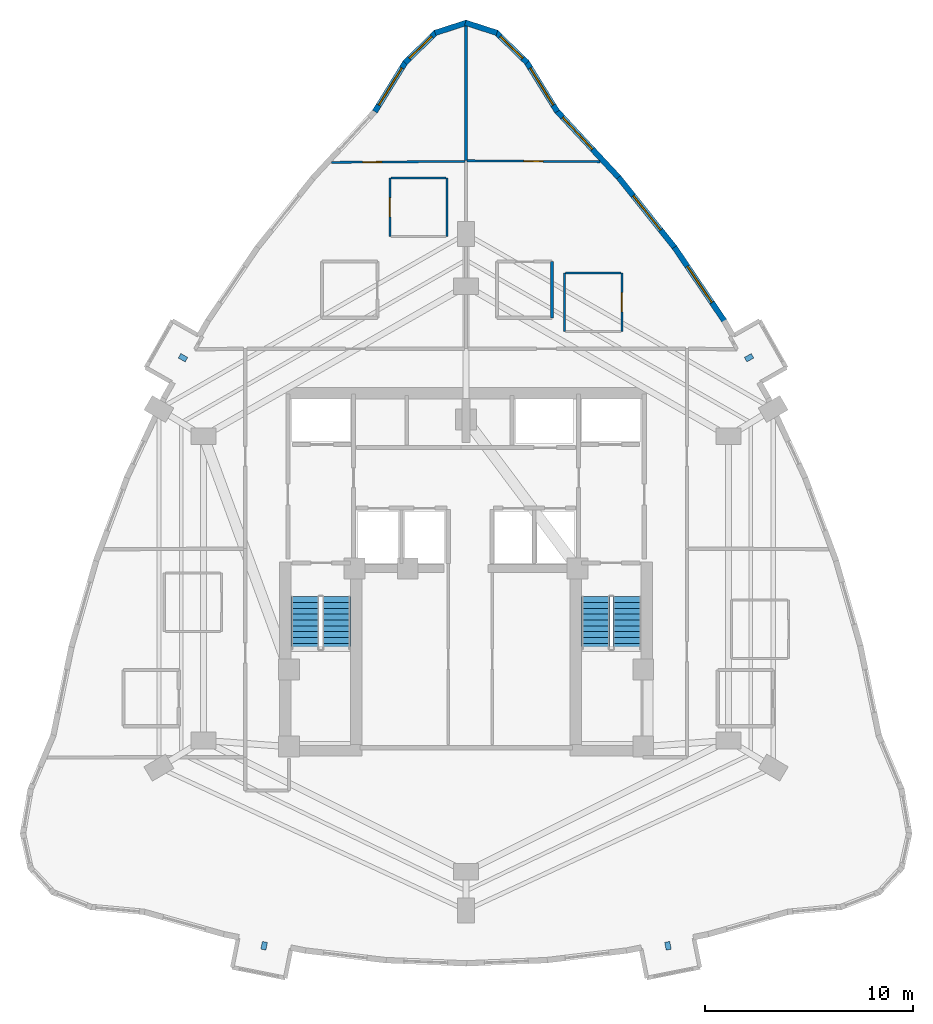
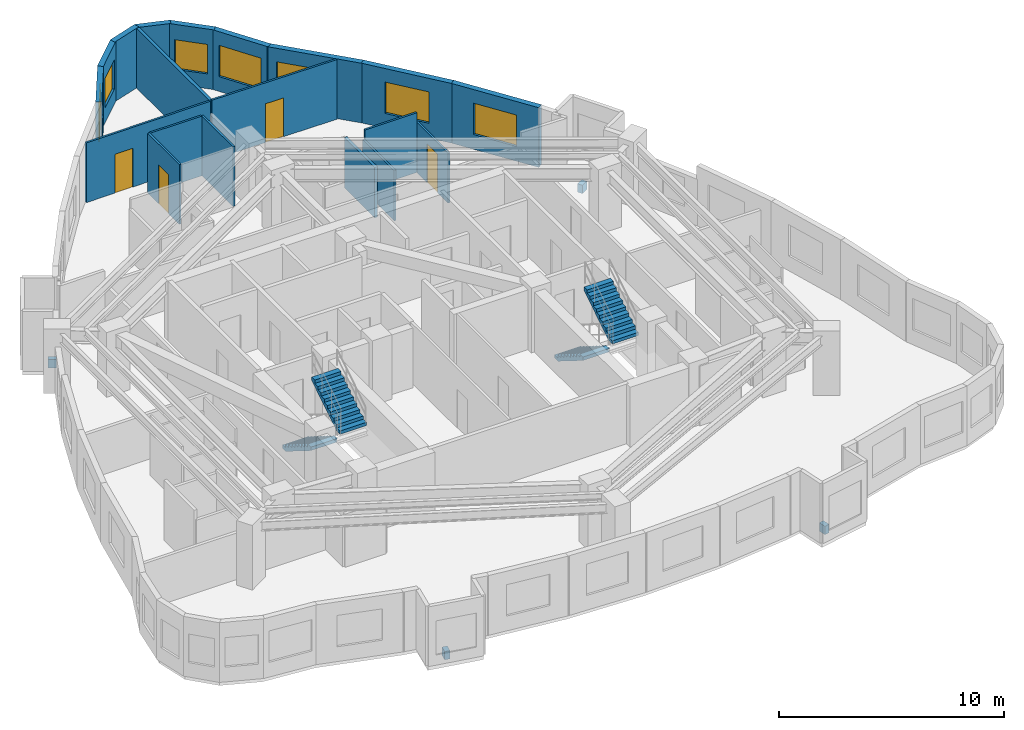
# One storey, part 9 of 10: 19 walls, 7 windows, 4 discrete accessories, 4 doors, 4 stair flights, 11 openings, 2 elements without a shape of their own.
"""IFC4 building model written with IfcOpenShell, lengths in metres."""

from ifc_helpers import new_model, si_unit, direction, frame, frame_2d, origin, origin_2d, place, context, subcontext, project, spatial, polyline, rectangle, outline, extrude, material, layer, layer_set, type_object, element, fill, aggregate, save


model = new_model("IFC4")

# Units and contexts
model_context = context("Model", 3, precision=1e-05, world=origin(), true_north=direction((0.0, 1.0)))
body_context = subcontext(model_context, "Body", "Model", "MODEL_VIEW")
ifc_project = project(units=[si_unit("LENGTHUNIT", "METRE"), si_unit("AREAUNIT", "SQUARE_METRE"), si_unit("VOLUMEUNIT", "CUBIC_METRE"), si_unit("PLANEANGLEUNIT", "RADIAN"), si_unit("MASSUNIT", "GRAM", prefix="KILO")], contexts=[model_context])

# Site, building, storey
site_placement = place(None, origin())
site = spatial("IfcSite", under=ifc_project, at=site_placement, CompositionType="ELEMENT")
building_placement = place(site_placement, origin())
building = spatial("IfcBuilding", under=site, at=building_placement, Name="Miruveldt Soraemaru", CompositionType="ELEMENT")
storey_placement = place(building_placement, frame((0.0, 0.0, 163.39990234375)))
storey = spatial("IfcBuildingStorey", under=building, at=storey_placement, Name="L45", CompositionType="ELEMENT", Elevation=163.39990234375)

# Wall, opening, window
ifc_material_1 = material(Name="Precast concrete C45/55 (45 MPa)", Category="concrete")
ifc_layer_1 = layer(ifc_material_1, 0.27001953125, Name="Precast concrete C45/55 (45 MPa)", Category="concrete")
ifc_layer_set_1 = layer_set([ifc_layer_1], Name="Precast concrete C45/55 (45 MPa)")
wall_type_1 = type_object("IfcWallType", Name="WALL-EXT-PC270", PredefinedType="SOLIDWALL", material=ifc_layer_set_1)
wall_1_placement = place(storey_placement, frame((48.37646484375, 65.975341796875, 0.0), z_axis=(0.0, 0.0, 1.0), x_axis=(-0.52606367771, 0.850445181651, 0.0)))
wall_1 = element("IfcWall", 1, at=wall_1_placement, inside=storey, type_object=wall_type_1, Name="L45 Precast Concrete Facade Wall 1", PredefinedType="SOLIDWALL", context=body_context, shape_type="SweptSolid", body=[
    extrude(rectangle(XDim=2.831298828125, YDim=0.27001953125, at=frame_2d((1.41552734375, 0.0))), origin(), (0.0, 0.0, 1.0), 3.235107421875),
])
opening_1_placement = place(wall_1_placement, frame((0.364990234375, 0.0, 0.800048828125)))
opening_1 = element("IfcOpeningElement", 2, at=opening_1_placement, cuts=wall_1, Name="Opening WN-1", PredefinedType="OPENING", context=body_context, shape_type="SweptSolid", body=[
    extrude(rectangle(XDim=2.10009765625, YDim=1.699951171875, at=frame_2d((1.050048828125, 0.85009765625))), frame((0.0, 0.14501953125, 0.0), z_axis=(0.0, -1.0, 0.0), x_axis=(1.0, 0.0, 0.0)), (0.0, 0.0, 1.0), 0.2900390625),
])
ifc_material_2 = material(Name="Triple low-e insulated glazing", Category="glass")
window_type_1 = type_object("IfcWindowType", Name="WIN-PUNCH-2100x1700", PartitioningType="SINGLE_PANEL", PredefinedType="WINDOW", material=ifc_material_2)
window_1_placement = place(opening_1_placement, origin())
window_1 = element("IfcWindow", 3, at=window_1_placement, inside=storey, type_object=window_type_1, Name="L45 Punched Triple-Glazed Window 01.1", OverallHeight=1.699951171875, OverallWidth=2.10009765625, PartitioningType="SINGLE_PANEL", PredefinedType="WINDOW", context=body_context, shape_type="SweptSolid", body=[
    extrude(rectangle(XDim=2.10009765625, YDim=1.699951171875, at=frame_2d((1.050048828125, 0.85009765625))), frame((0.0, 0.030029296875, 0.0), z_axis=(0.0, -1.0, 0.0), x_axis=(1.0, 0.0, 0.0)), (0.0, 0.0, 1.0), 0.06005859375),
])
fill(opening_1, window_1)

wall_2_placement = place(storey_placement, frame((46.930419921875, 68.3291015625, 0.0), z_axis=(0.0, 0.0, 1.0), x_axis=(-0.717810327484, 0.696238704582, 0.0)))
wall_2 = element("IfcWall", 4, at=wall_2_placement, inside=storey, type_object=wall_type_1, Name="L45 Precast Concrete Facade Wall 2", PredefinedType="SOLIDWALL", context=body_context, shape_type="SweptSolid", body=[
    extrude(rectangle(XDim=2.09375, YDim=0.27001953125, at=frame_2d((1.046875, 0.0))), origin(), (0.0, 0.0, 1.0), 3.235107421875),
])
opening_2_placement = place(wall_2_placement, frame((0.297119140625, 0.0, 0.800048828125)))
opening_2 = element("IfcOpeningElement", 5, at=opening_2_placement, cuts=wall_2, Name="Opening WN-3", PredefinedType="OPENING", context=body_context, shape_type="SweptSolid", body=[
    extrude(rectangle(XDim=1.5, YDim=1.60009765625, at=frame_2d((0.75, 0.800048828125))), frame((0.0, 0.14501953125, 0.0), z_axis=(0.0, -1.0, 0.0), x_axis=(1.0, 0.0, 0.0)), (0.0, 0.0, 1.0), 0.2900390625),
])
window_type_2 = type_object("IfcWindowType", Name="WIN-PUNCH-1500x1600", PartitioningType="SINGLE_PANEL", PredefinedType="WINDOW", material=ifc_material_2)
window_2_placement = place(opening_2_placement, origin())
window_2 = element("IfcWindow", 6, at=window_2_placement, inside=storey, type_object=window_type_2, Name="L45 Punched Triple-Glazed Window 02.1", OverallHeight=1.60009765625, OverallWidth=1.5, PartitioningType="SINGLE_PANEL", PredefinedType="WINDOW", context=body_context, shape_type="SweptSolid", body=[
    extrude(rectangle(XDim=1.5, YDim=1.60009765625, at=frame_2d((0.75, 0.800048828125))), frame((0.0, 0.030029296875, 0.0), z_axis=(0.0, -1.0, 0.0), x_axis=(1.0, 0.0, 0.0)), (0.0, 0.0, 1.0), 0.06005859375),
])
fill(opening_2, window_2)

# Walls
for number, where, z_axis, x_axis, name in (
    (7, (45.486083984375, 69.751708984375, 0.0), (0.0, 0.0, 1.0), (-0.951503769565, 0.307637085709, 0.0), "L45 Precast Concrete Facade Wall 3"),
    (8, (44.033203125, 70.242919921875, 0.0), (0.0, 0.0, 1.0), (-0.951503769565, -0.307637085709, 0.0), "L45 Precast Concrete Facade Wall 4"),
):
    element("IfcWall", number, at=place(storey_placement, frame(where, z_axis=z_axis, x_axis=x_axis)), inside=storey, type_object=wall_type_1, Name=name, PredefinedType="SOLIDWALL", context=body_context, shape_type="SweptSolid", body=[
        extrude(rectangle(XDim=1.5966796875, YDim=0.27001953125, at=frame_2d((0.79833984375, 0.0))), origin(), (0.0, 0.0, 1.0), 3.235107421875),
    ])

# Wall, opening, window
wall_3_placement = place(storey_placement, frame((42.572509765625, 69.786865234375, 0.0), z_axis=(0.0, 0.0, 1.0), x_axis=(-0.717810327484, -0.696238704582, 0.0)))
wall_3 = element("IfcWall", 9, at=wall_3_placement, inside=storey, type_object=wall_type_1, Name="L45 Precast Concrete Facade Wall 5", PredefinedType="SOLIDWALL", context=body_context, shape_type="SweptSolid", body=[
    extrude(rectangle(XDim=2.09375, YDim=0.27001953125, at=frame_2d((1.046875, 0.0))), origin(), (0.0, 0.0, 1.0), 3.235107421875),
])
opening_3_placement = place(wall_3_placement, frame((0.297119140625, 0.0, 0.800048828125)))
opening_3 = element("IfcOpeningElement", 10, at=opening_3_placement, cuts=wall_3, Name="Opening WN-3", PredefinedType="OPENING", context=body_context, shape_type="SweptSolid", body=[
    extrude(rectangle(XDim=1.5, YDim=1.60009765625, at=frame_2d((0.75, 0.800048828125))), frame((0.0, 0.14501953125, 0.0), z_axis=(0.0, -1.0, 0.0), x_axis=(1.0, 0.0, 0.0)), (0.0, 0.0, 1.0), 0.2900390625),
])
window_3_placement = place(opening_3_placement, origin())
window_3 = element("IfcWindow", 11, at=window_3_placement, inside=storey, type_object=window_type_2, Name="L45 Punched Triple-Glazed Window 05.1", OverallHeight=1.60009765625, OverallWidth=1.5, PartitioningType="SINGLE_PANEL", PredefinedType="WINDOW", context=body_context, shape_type="SweptSolid", body=[
    extrude(rectangle(XDim=1.5, YDim=1.60009765625, at=frame_2d((0.75, 0.800048828125))), frame((0.0, 0.030029296875, 0.0), z_axis=(0.0, -1.0, 0.0), x_axis=(1.0, 0.0, 0.0)), (0.0, 0.0, 1.0), 0.06005859375),
])
fill(opening_3, window_3)

wall_4_placement = place(storey_placement, frame((41.113037109375, 68.38330078125, 0.0), z_axis=(0.0, 0.0, 1.0), x_axis=(-0.52606367771, -0.850445181651, 0.0)))
wall_4 = element("IfcWall", 12, at=wall_4_placement, inside=storey, type_object=wall_type_1, Name="L45 Precast Concrete Facade Wall 6", PredefinedType="SOLIDWALL", context=body_context, shape_type="SweptSolid", body=[
    extrude(rectangle(XDim=2.831298828125, YDim=0.27001953125, at=frame_2d((1.41552734375, 0.0))), origin(), (0.0, 0.0, 1.0), 3.235107421875),
])
opening_4_placement = place(wall_4_placement, frame((0.364990234375, 0.0, 0.800048828125)))
opening_4 = element("IfcOpeningElement", 13, at=opening_4_placement, cuts=wall_4, Name="Opening WN-1", PredefinedType="OPENING", context=body_context, shape_type="SweptSolid", body=[
    extrude(rectangle(XDim=2.10009765625, YDim=1.699951171875, at=frame_2d((1.050048828125, 0.85009765625))), frame((0.0, 0.14501953125, 0.0), z_axis=(0.0, -1.0, 0.0), x_axis=(1.0, 0.0, 0.0)), (0.0, 0.0, 1.0), 0.2900390625),
])
window_4_placement = place(opening_4_placement, origin())
window_4 = element("IfcWindow", 14, at=window_4_placement, inside=storey, type_object=window_type_1, Name="L45 Punched Triple-Glazed Window 06.1", OverallHeight=1.699951171875, OverallWidth=2.10009765625, PartitioningType="SINGLE_PANEL", PredefinedType="WINDOW", context=body_context, shape_type="SweptSolid", body=[
    extrude(rectangle(XDim=2.10009765625, YDim=1.699951171875, at=frame_2d((1.050048828125, 0.85009765625))), frame((0.0, 0.030029296875, 0.0), z_axis=(0.0, -1.0, 0.0), x_axis=(1.0, 0.0, 0.0)), (0.0, 0.0, 1.0), 0.06005859375),
])
fill(opening_4, window_4)

wall_5_placement = place(storey_placement, frame((56.421630859375, 55.892578125, 0.0), z_axis=(0.0, 0.0, 1.0), x_axis=(-0.560806873165, 0.827946647442, 0.0)))
wall_5 = element("IfcWall", 15, at=wall_5_placement, inside=storey, type_object=wall_type_1, Name="L45 Precast Concrete Facade Wall 40", PredefinedType="SOLIDWALL", context=body_context, shape_type="SweptSolid", body=[
    extrude(rectangle(XDim=4.31640625, YDim=0.27001953125, at=frame_2d((2.158203125, 0.0))), origin(), (0.0, 0.0, 1.0), 3.235107421875),
])
opening_5_placement = place(wall_5_placement, frame((1.10791015625, 0.0, 0.800048828125)))
opening_5 = element("IfcOpeningElement", 16, at=opening_5_placement, cuts=wall_5, Name="Opening WN-1", PredefinedType="OPENING", context=body_context, shape_type="SweptSolid", body=[
    extrude(rectangle(XDim=2.10009765625, YDim=1.699951171875, at=frame_2d((1.050048828125, 0.85009765625))), frame((0.0, 0.14501953125, 0.0), z_axis=(0.0, -1.0, 0.0), x_axis=(1.0, 0.0, 0.0)), (0.0, 0.0, 1.0), 0.2900390625),
])
window_5_placement = place(opening_5_placement, origin())
window_5 = element("IfcWindow", 17, at=window_5_placement, inside=storey, type_object=window_type_1, Name="L45 Punched Triple-Glazed Window 40.1", OverallHeight=1.699951171875, OverallWidth=2.10009765625, PartitioningType="SINGLE_PANEL", PredefinedType="WINDOW", context=body_context, shape_type="SweptSolid", body=[
    extrude(rectangle(XDim=2.10009765625, YDim=1.699951171875, at=frame_2d((1.050048828125, 0.85009765625))), frame((0.0, 0.030029296875, 0.0), z_axis=(0.0, -1.0, 0.0), x_axis=(1.0, 0.0, 0.0)), (0.0, 0.0, 1.0), 0.06005859375),
])
fill(opening_5, window_5)

wall_6_placement = place(storey_placement, frame((54.042236328125, 59.409912109375, 0.0), z_axis=(0.0, 0.0, 1.0), x_axis=(-0.623611033504, 0.781734788079, 0.0)))
wall_6 = element("IfcWall", 18, at=wall_6_placement, inside=storey, type_object=wall_type_1, Name="L45 Precast Concrete Facade Wall 41", PredefinedType="SOLIDWALL", context=body_context, shape_type="SweptSolid", body=[
    extrude(rectangle(XDim=4.369384765625, YDim=0.27001953125, at=frame_2d((2.1845703125, 0.0))), origin(), (0.0, 0.0, 1.0), 3.235107421875),
])
opening_6_placement = place(wall_6_placement, frame((1.135009765625, 0.0, 0.800048828125)))
opening_6 = element("IfcOpeningElement", 19, at=opening_6_placement, cuts=wall_6, Name="Opening WN-1", PredefinedType="OPENING", context=body_context, shape_type="SweptSolid", body=[
    extrude(rectangle(XDim=2.10009765625, YDim=1.699951171875, at=frame_2d((1.050048828125, 0.85009765625))), frame((0.0, 0.14501953125, 0.0), z_axis=(0.0, -1.0, 0.0), x_axis=(1.0, 0.0, 0.0)), (0.0, 0.0, 1.0), 0.2900390625),
])
window_6_placement = place(opening_6_placement, origin())
window_6 = element("IfcWindow", 20, at=window_6_placement, inside=storey, type_object=window_type_1, Name="L45 Punched Triple-Glazed Window 41.1", OverallHeight=1.699951171875, OverallWidth=2.10009765625, PartitioningType="SINGLE_PANEL", PredefinedType="WINDOW", context=body_context, shape_type="SweptSolid", body=[
    extrude(rectangle(XDim=2.10009765625, YDim=1.699951171875, at=frame_2d((1.050048828125, 0.85009765625))), frame((0.0, 0.030029296875, 0.0), z_axis=(0.0, -1.0, 0.0), x_axis=(1.0, 0.0, 0.0)), (0.0, 0.0, 1.0), 0.06005859375),
])
fill(opening_6, window_6)

wall_7_placement = place(storey_placement, frame((51.36279296875, 62.772705078125, 0.0), z_axis=(0.0, 0.0, 1.0), x_axis=(-0.680840456656, 0.732431752848, 0.0)))
wall_7 = element("IfcWall", 21, at=wall_7_placement, inside=storey, type_object=wall_type_1, Name="L45 Precast Concrete Facade Wall 42", PredefinedType="SOLIDWALL", context=body_context, shape_type="SweptSolid", body=[
    extrude(rectangle(XDim=4.4482421875, YDim=0.27001953125, at=frame_2d((2.22412109375, 0.0))), origin(), (0.0, 0.0, 1.0), 3.235107421875),
])
opening_7_placement = place(wall_7_placement, frame((1.907958984375, 0.0, 0.800048828125)))
opening_7 = element("IfcOpeningElement", 22, at=opening_7_placement, cuts=wall_7, Name="Opening WN-1", PredefinedType="OPENING", context=body_context, shape_type="SweptSolid", body=[
    extrude(rectangle(XDim=2.10009765625, YDim=1.699951171875, at=frame_2d((1.050048828125, 0.85009765625))), frame((0.0, 0.14501953125, 0.0), z_axis=(0.0, -1.0, 0.0), x_axis=(1.0, 0.0, 0.0)), (0.0, 0.0, 1.0), 0.2900390625),
])
window_7_placement = place(opening_7_placement, origin())
window_7 = element("IfcWindow", 23, at=window_7_placement, inside=storey, type_object=window_type_1, Name="L45 Punched Triple-Glazed Window 42.1", OverallHeight=1.699951171875, OverallWidth=2.10009765625, PartitioningType="SINGLE_PANEL", PredefinedType="WINDOW", context=body_context, shape_type="SweptSolid", body=[
    extrude(rectangle(XDim=2.10009765625, YDim=1.699951171875, at=frame_2d((1.050048828125, 0.85009765625))), frame((0.0, 0.030029296875, 0.0), z_axis=(0.0, -1.0, 0.0), x_axis=(1.0, 0.0, 0.0)), (0.0, 0.0, 1.0), 0.06005859375),
])
fill(opening_7, window_7)

# Wall, opening, door
ifc_material_3 = material(Name="Gypsum plasterboard lining", Category="gypsum")
ifc_layer_2 = layer(ifc_material_3, 0.10009765625, Name="Gypsum plasterboard lining", Category="gypsum")
ifc_layer_set_2 = layer_set([ifc_layer_2], Name="Gypsum plasterboard lining")
wall_type_2 = type_object("IfcWallType", Name="WALL-INT-P100", PredefinedType="PARTITIONING", material=ifc_layer_set_2)
wall_8_placement = place(storey_placement, frame((43.949951171875, 63.587890625, 0.0), z_axis=(0.0, 0.0, 1.0), x_axis=(-0.999972006303, -0.007482420143, 0.0)))
wall_8 = element("IfcWall", 24, at=wall_8_placement, inside=storey, type_object=wall_type_2, Name="L45 Partition Wall 19", PredefinedType="PARTITIONING", context=body_context, shape_type="SweptSolid", body=[
    extrude(rectangle(XDim=6.395263671875, YDim=0.10009765625, at=frame_2d((3.19775390625, 0.0))), origin(), (0.0, 0.0, 1.0), 3.235107421875),
])
opening_8_placement = place(wall_8_placement, frame((3.998046875, 0.0, 0.0)))
opening_8 = element("IfcOpeningElement", 25, at=opening_8_placement, cuts=wall_8, Name="Opening D3A", PredefinedType="OPENING", context=body_context, shape_type="SweptSolid", body=[
    extrude(rectangle(XDim=0.919921875, YDim=2.10009765625, at=frame_2d((0.4599609375, 1.050048828125))), frame((0.0, 0.06005859375, 0.0), z_axis=(0.0, -1.0, 0.0), x_axis=(1.0, 0.0, 0.0)), (0.0, 0.0, 1.0), 0.1201171875),
])
ifc_material_4 = material(Name="Anodised aluminium EN AW-6063 T6", Category="aluminium")
door_type = type_object("IfcDoorType", Name="DOOR-INT-920", OperationType="NOTDEFINED", PredefinedType="DOOR", material=ifc_material_4)
door_1_placement = place(opening_8_placement, origin())
door_1 = element("IfcDoor", 26, at=door_1_placement, inside=storey, type_object=door_type, Name="L45 Unit 4501 DIN Door", OperationType="SINGLE_SWING_LEFT", OverallHeight=2.10009765625, OverallWidth=0.919921875, PredefinedType="DOOR", context=body_context, shape_type="SweptSolid", body=[
    extrude(rectangle(XDim=0.919921875, YDim=2.10009765625, at=frame_2d((0.4599609375, 1.050048828125))), frame((0.0, 0.02490234375, 0.0), z_axis=(0.0, -1.0, 0.0), x_axis=(1.0, 0.0, 0.0)), (0.0, 0.0, 1.0), 0.050048828125),
])
fill(opening_8, door_1)

wall_9_placement = place(storey_placement, frame((50.4169921875, 63.570068359375, 0.0), z_axis=(0.0, 0.0, 1.0), x_axis=(-0.999971758882, 0.007515413349, 0.0)))
wall_9 = element("IfcWall", 27, at=wall_9_placement, inside=storey, type_object=wall_type_2, Name="L45 Partition Wall 31", PredefinedType="PARTITIONING", context=body_context, shape_type="SweptSolid", body=[
    extrude(rectangle(XDim=6.3671875, YDim=0.10009765625, at=frame_2d((3.18359375, 0.0))), origin(), (0.0, 0.0, 1.0), 3.235107421875),
])
opening_9_placement = place(wall_9_placement, frame((2.72412109375, 0.0, 0.0)))
opening_9 = element("IfcOpeningElement", 28, at=opening_9_placement, cuts=wall_9, Name="Opening D3A", PredefinedType="OPENING", context=body_context, shape_type="SweptSolid", body=[
    extrude(rectangle(XDim=0.919921875, YDim=2.10009765625, at=frame_2d((0.4599609375, 1.050048828125))), frame((0.0, 0.06005859375, 0.0), z_axis=(0.0, -1.0, 0.0), x_axis=(1.0, 0.0, 0.0)), (0.0, 0.0, 1.0), 0.1201171875),
])
door_2_placement = place(opening_9_placement, origin())
door_2 = element("IfcDoor", 29, at=door_2_placement, inside=storey, type_object=door_type, Name="L45 Unit 4502 DIN Door", OperationType="SINGLE_SWING_LEFT", OverallHeight=2.10009765625, OverallWidth=0.919921875, PredefinedType="DOOR", context=body_context, shape_type="SweptSolid", body=[
    extrude(rectangle(XDim=0.919921875, YDim=2.10009765625, at=frame_2d((0.4599609375, 1.050048828125))), frame((0.0, 0.02490234375, 0.0), z_axis=(0.0, -1.0, 0.0), x_axis=(1.0, 0.0, 0.0)), (0.0, 0.0, 1.0), 0.050048828125),
])
fill(opening_9, door_2)

wall_10_placement = place(storey_placement, frame((40.342041015625, 62.780029296875, 0.0), z_axis=(0.0, 0.0, 1.0), x_axis=(0.0, -1.0, 0.0)))
wall_10 = element("IfcWall", 30, at=wall_10_placement, inside=storey, type_object=wall_type_2, Name="L45 Partition Wall 17", PredefinedType="PARTITIONING", context=body_context, shape_type="SweptSolid", body=[
    extrude(rectangle(XDim=2.800048828125, YDim=0.10009765625, at=frame_2d((1.39990234375, 0.0))), origin(), (0.0, 0.0, 1.0), 3.235107421875),
])
opening_10_placement = place(wall_10_placement, frame((0.93994140625, 0.0, 0.0)))
opening_10 = element("IfcOpeningElement", 31, at=opening_10_placement, cuts=wall_10, Name="Opening D3A", PredefinedType="OPENING", context=body_context, shape_type="SweptSolid", body=[
    extrude(rectangle(XDim=0.919921875, YDim=2.10009765625, at=frame_2d((0.4599609375, 1.050048828125))), frame((0.0, 0.06005859375, 0.0), z_axis=(0.0, -1.0, 0.0), x_axis=(1.0, 0.0, 0.0)), (0.0, 0.0, 1.0), 0.1201171875),
])
door_3_placement = place(opening_10_placement, origin())
door_3 = element("IfcDoor", 32, at=door_3_placement, inside=storey, type_object=door_type, Name="L45 Unit 4501 KIT Door", OperationType="SINGLE_SWING_RIGHT", OverallHeight=2.10009765625, OverallWidth=0.919921875, PredefinedType="DOOR", context=body_context, shape_type="SweptSolid", body=[
    extrude(rectangle(XDim=0.919921875, YDim=2.10009765625, at=frame_2d((0.4599609375, 1.050048828125))), frame((0.0, 0.02490234375, 0.0), z_axis=(0.0, -1.0, 0.0), x_axis=(1.0, 0.0, 0.0)), (0.0, 0.0, 1.0), 0.050048828125),
])
fill(opening_10, door_3)

wall_11_placement = place(storey_placement, frame((51.47998046875, 55.429931640625, 0.0), z_axis=(0.0, 0.0, 1.0), x_axis=(0.0, 1.0, 0.0)))
wall_11 = element("IfcWall", 33, at=wall_11_placement, inside=storey, type_object=wall_type_2, Name="L45 Partition Wall 27", PredefinedType="PARTITIONING", context=body_context, shape_type="SweptSolid", body=[
    extrude(rectangle(XDim=2.800048828125, YDim=0.10009765625, at=frame_2d((1.39990234375, 0.0))), origin(), (0.0, 0.0, 1.0), 2.72314453125),
])
opening_11_placement = place(wall_11_placement, frame((0.93994140625, 0.0, 0.0)))
opening_11 = element("IfcOpeningElement", 34, at=opening_11_placement, cuts=wall_11, Name="Opening D3A", PredefinedType="OPENING", context=body_context, shape_type="SweptSolid", body=[
    extrude(rectangle(XDim=0.919921875, YDim=2.10009765625, at=frame_2d((0.4599609375, 1.050048828125))), frame((0.0, 0.06005859375, 0.0), z_axis=(0.0, -1.0, 0.0), x_axis=(1.0, 0.0, 0.0)), (0.0, 0.0, 1.0), 0.1201171875),
])
door_4_placement = place(opening_11_placement, origin())
door_4 = element("IfcDoor", 35, at=door_4_placement, inside=storey, type_object=door_type, Name="L45 Unit 4502 KIT Door", OperationType="SINGLE_SWING_RIGHT", OverallHeight=2.10009765625, OverallWidth=0.919921875, PredefinedType="DOOR", context=body_context, shape_type="SweptSolid", body=[
    extrude(rectangle(XDim=0.919921875, YDim=2.10009765625, at=frame_2d((0.4599609375, 1.050048828125))), frame((0.0, 0.02490234375, 0.0), z_axis=(0.0, -1.0, 0.0), x_axis=(1.0, 0.0, 0.0)), (0.0, 0.0, 1.0), 0.050048828125),
])
fill(opening_11, door_4)

# Walls
wall_12_placement = place(storey_placement, frame((43.092041015625, 59.97998046875, 0.0), z_axis=(0.0, 0.0, 1.0), x_axis=(0.0, 1.0, 0.0)))
element("IfcWall", 36, at=wall_12_placement, inside=storey, type_object=wall_type_2, Name="L45 Partition Wall 15", PredefinedType="PARTITIONING", context=body_context, shape_type="SweptSolid", body=[
    extrude(rectangle(XDim=2.800048828125, YDim=0.10009765625, at=frame_2d((1.39990234375, 0.0))), origin(), (0.0, 0.0, 1.0), 3.235107421875),
])
wall_13_placement = place(storey_placement, frame((48.72998046875, 58.22998046875, 0.0), z_axis=(0.0, 0.0, 1.0), x_axis=(0.0, -1.0, 0.0)))
element("IfcWall", 37, at=wall_13_placement, inside=storey, type_object=wall_type_2, Name="L45 Partition Wall 29", PredefinedType="PARTITIONING", context=body_context, shape_type="SweptSolid", body=[
    extrude(rectangle(XDim=2.800048828125, YDim=0.10009765625, at=frame_2d((1.39990234375, 0.0))), origin(), (0.0, 0.0, 1.0), 2.72314453125),
])
for number, where, z_axis, x_axis, name in (
    (38, (43.0419921875, 62.780029296875, 0.0), (0.0, 0.0, 1.0), (-1.0, 0.0, 0.0), "L45 Partition Wall 16"),
    (39, (51.429931640625, 58.22998046875, 0.0), (0.0, 0.0, 1.0), (-1.0, 0.0, 0.0), "L45 Partition Wall 28"),
):
    element("IfcWall", number, at=place(storey_placement, frame(where, z_axis=z_axis, x_axis=x_axis)), inside=storey, type_object=wall_type_2, Name=name, PredefinedType="PARTITIONING", context=body_context, shape_type="SweptSolid", body=[
        extrude(rectangle(XDim=2.64990234375, YDim=0.10009765625, at=frame_2d((1.324951171875, 0.0))), origin(), (0.0, 0.0, 1.0), 3.235107421875),
    ])
ifc_layer_3 = layer(ifc_material_3, 0.14990234375, Name="Gypsum plasterboard lining", Category="gypsum")
ifc_layer_set_3 = layer_set([ifc_layer_3], Name="Gypsum plasterboard lining")
wall_type_3 = type_object("IfcWallType", Name="WALL-INT-PLUMB", PredefinedType="PLUMBINGWALL", material=ifc_layer_set_3)
wall_14_placement = place(storey_placement, frame((48.1298828125, 56.080078125, 0.0), z_axis=(0.0, 0.0, 1.0), x_axis=(0.0, 1.0, 0.0)))
element("IfcWall", 40, at=wall_14_placement, inside=storey, type_object=wall_type_3, Name="L45 Partition Wall 23", PredefinedType="PLUMBINGWALL", context=body_context, shape_type="SweptSolid", body=[
    extrude(rectangle(XDim=2.699951171875, YDim=0.14990234375, at=frame_2d((1.35009765625, 0.0))), origin(), (0.0, 0.0, 1.0), 2.72314453125),
])
ifc_material_5 = material(Name="Concrete C40/50 (40 MPa)", Category="concrete")
ifc_layer_4 = layer(ifc_material_5, 0.159912109375, Name="Concrete C40/50 (40 MPa)", Category="concrete")
ifc_layer_set_4 = layer_set([ifc_layer_4], Name="Concrete C40/50 (40 MPa)")
wall_type_4 = type_object("IfcWallType", Name="WALL-INT-RC160", PredefinedType="SOLIDWALL", material=ifc_layer_set_4)
wall_15_placement = place(storey_placement, frame((44.0, 63.617919921875, 0.0), z_axis=(0.0, 0.0, 1.0), x_axis=(0.0, 1.0, 0.0)))
element("IfcWall", 41, at=wall_15_placement, inside=storey, type_object=wall_type_4, Name="L45 Partition Wall 22", PredefinedType="SOLIDWALL", context=body_context, shape_type="SweptSolid", body=[
    extrude(rectangle(XDim=6.4560546875, YDim=0.159912109375, at=frame_2d((3.22802734375, 0.0))), origin(), (0.0, 0.0, 1.0), 3.235107421875),
])

# Stair, stair flights
stair_type = type_object("IfcStairType", Name="STAIR-DL-350", PredefinedType="HALF_TURN_STAIR", material=ifc_material_5)
stair_1_placement = place(storey_placement, origin())
stair_1 = element("IfcStair", 42, at=stair_1_placement, inside=storey, type_object=stair_type, Name="L45 Protected Exit Stair ST-1", PredefinedType="HALF_TURN_STAIR")
stair_flight_type = type_object("IfcStairFlightType", Name="SFL-DL-350", PredefinedType="STRAIGHT", material=ifc_material_5)
stair_flight_1_placement = place(storey_placement, frame((36.27490234375, 42.699951171875, 0.0), z_axis=(0.0, 0.0, 1.0), x_axis=(0.0, -1.0, 0.0)))
stair_flight_1 = element("IfcStairFlight", 43, at=stair_flight_1_placement, type_object=stair_flight_type, Name="ST-1 flight 1", NumberOfRisers=10, NumberOfTreads=9, PredefinedType="STRAIGHT", RiserHeight=0.175, TreadLength=0.28, context=body_context, shape_type="SweptSolid", body=[
    extrude(outline(polyline([(0.0, 0.0), (0.0, 0.175048828125), (0.280029296875, 0.175048828125), (0.280029296875, 0.35009765625), (0.56005859375, 0.35009765625), (0.56005859375, 0.52490234375), (0.840087890625, 0.52490234375), (0.840087890625, 0.699951171875), (1.1201171875, 0.699951171875), (1.1201171875, 0.875), (1.39990234375, 0.875), (1.39990234375, 1.050048828125), (1.679931640625, 1.050048828125), (1.679931640625, 1.22509765625), (1.9599609375, 1.22509765625), (1.9599609375, 1.39990234375), (2.239990234375, 1.39990234375), (2.239990234375, 1.574951171875), (2.52001953125, 1.574951171875), (2.52001953125, 1.75), (2.52001953125, 1.386474609375), (0.3017578125, 0.0), (0.0, 0.0)])), frame((0.0, 0.675048828125, 0.0), z_axis=(0.0, -1.0, 0.0), x_axis=(1.0, 0.0, 0.0)), (0.0, 0.0, 1.0), 1.35009765625),
])
stair_flight_2_placement = place(storey_placement, frame((37.77490234375, 40.179931640625, 1.75), z_axis=(0.0, 0.0, 1.0), x_axis=(0.0, 1.0, 0.0)))
stair_flight_2 = element("IfcStairFlight", 44, at=stair_flight_2_placement, type_object=stair_flight_type, Name="ST-1 flight 2", NumberOfRisers=10, NumberOfTreads=9, PredefinedType="STRAIGHT", RiserHeight=0.175, TreadLength=0.28, context=body_context, shape_type="SweptSolid", body=[
    extrude(outline(polyline([(0.0, 0.0), (0.0, 0.175048828125), (0.280029296875, 0.175048828125), (0.280029296875, 0.35009765625), (0.56005859375, 0.35009765625), (0.56005859375, 0.52490234375), (0.840087890625, 0.52490234375), (0.840087890625, 0.699951171875), (1.1201171875, 0.699951171875), (1.1201171875, 0.875), (1.39990234375, 0.875), (1.39990234375, 1.050048828125), (1.679931640625, 1.050048828125), (1.679931640625, 1.22509765625), (1.9599609375, 1.22509765625), (1.9599609375, 1.39990234375), (2.239990234375, 1.39990234375), (2.239990234375, 1.574951171875), (2.52001953125, 1.574951171875), (2.52001953125, 1.75), (2.52001953125, 1.386474609375), (0.3017578125, 0.0), (0.0, 0.0)])), frame((0.0, 0.675048828125, 0.0), z_axis=(0.0, -1.0, 0.0), x_axis=(1.0, 0.0, 0.0)), (0.0, 0.0, 1.0), 1.35009765625),
])
aggregate(stair_1, [stair_flight_1, stair_flight_2])

stair_2_placement = place(storey_placement, origin())
stair_2 = element("IfcStair", 45, at=stair_2_placement, inside=storey, type_object=stair_type, Name="L45 Protected Exit Stair ST-2", PredefinedType="HALF_TURN_STAIR")
stair_flight_3_placement = place(storey_placement, frame((50.22509765625, 42.699951171875, 0.0), z_axis=(0.0, 0.0, 1.0), x_axis=(0.0, -1.0, 0.0)))
stair_flight_3 = element("IfcStairFlight", 46, at=stair_flight_3_placement, type_object=stair_flight_type, Name="ST-2 flight 1", NumberOfRisers=10, NumberOfTreads=9, PredefinedType="STRAIGHT", RiserHeight=0.175, TreadLength=0.28, context=body_context, shape_type="SweptSolid", body=[
    extrude(outline(polyline([(0.0, 0.0), (0.0, 0.175048828125), (0.280029296875, 0.175048828125), (0.280029296875, 0.35009765625), (0.56005859375, 0.35009765625), (0.56005859375, 0.52490234375), (0.840087890625, 0.52490234375), (0.840087890625, 0.699951171875), (1.1201171875, 0.699951171875), (1.1201171875, 0.875), (1.39990234375, 0.875), (1.39990234375, 1.050048828125), (1.679931640625, 1.050048828125), (1.679931640625, 1.22509765625), (1.9599609375, 1.22509765625), (1.9599609375, 1.39990234375), (2.239990234375, 1.39990234375), (2.239990234375, 1.574951171875), (2.52001953125, 1.574951171875), (2.52001953125, 1.75), (2.52001953125, 1.386474609375), (0.3017578125, 0.0), (0.0, 0.0)])), frame((0.0, 0.675048828125, 0.0), z_axis=(0.0, -1.0, 0.0), x_axis=(1.0, 0.0, 0.0)), (0.0, 0.0, 1.0), 1.35009765625),
])
stair_flight_4_placement = place(storey_placement, frame((51.72509765625, 40.179931640625, 1.75), z_axis=(0.0, 0.0, 1.0), x_axis=(0.0, 1.0, 0.0)))
stair_flight_4 = element("IfcStairFlight", 47, at=stair_flight_4_placement, type_object=stair_flight_type, Name="ST-2 flight 2", NumberOfRisers=10, NumberOfTreads=9, PredefinedType="STRAIGHT", RiserHeight=0.175, TreadLength=0.28, context=body_context, shape_type="SweptSolid", body=[
    extrude(outline(polyline([(0.0, 0.0), (0.0, 0.175048828125), (0.280029296875, 0.175048828125), (0.280029296875, 0.35009765625), (0.56005859375, 0.35009765625), (0.56005859375, 0.52490234375), (0.840087890625, 0.52490234375), (0.840087890625, 0.699951171875), (1.1201171875, 0.699951171875), (1.1201171875, 0.875), (1.39990234375, 0.875), (1.39990234375, 1.050048828125), (1.679931640625, 1.050048828125), (1.679931640625, 1.22509765625), (1.9599609375, 1.22509765625), (1.9599609375, 1.39990234375), (2.239990234375, 1.39990234375), (2.239990234375, 1.574951171875), (2.52001953125, 1.574951171875), (2.52001953125, 1.75), (2.52001953125, 1.386474609375), (0.3017578125, 0.0), (0.0, 0.0)])), frame((0.0, 0.675048828125, 0.0), z_axis=(0.0, -1.0, 0.0), x_axis=(1.0, 0.0, 0.0)), (0.0, 0.0, 1.0), 1.35009765625),
])
aggregate(stair_2, [stair_flight_3, stair_flight_4])

# Discrete accessories
ifc_material_6 = material(Name="Steel SM355 (355 MPa)", Category="steel")
discrete_accessory_type = type_object("IfcDiscreteAccessoryType", Name="ACC-BAY-BRK", PredefinedType="BRACKET", material=ifc_material_6)
for number, where, z_axis, x_axis, name in (
    (48, (30.41796875, 54.165283203125, -0.7099609375), (0.0, 0.0, 1.0), (-0.869822332902, 0.493365087117, 0.0), "L45 Bay Window Cantilever Bracket 1"),
    (49, (34.309326171875, 25.9453125, -0.7099609375), (0.0, 0.0, 1.0), (-0.196100176415, -0.980583867301, 0.0), "L45 Bay Window Cantilever Bracket 2"),
    (50, (53.690673828125, 25.9453125, -0.7099609375), (0.0, 0.0, 1.0), (0.196100176415, -0.980583867301, 0.0), "L45 Bay Window Cantilever Bracket 3"),
    (51, (57.58203125, 54.165283203125, -0.7099609375), (0.0, 0.0, 1.0), (0.869822332902, 0.493365087117, 0.0), "L45 Bay Window Cantilever Bracket 4"),
):
    element("IfcDiscreteAccessory", number, at=place(storey_placement, frame(where, z_axis=z_axis, x_axis=x_axis)), inside=storey, type_object=discrete_accessory_type, Name=name, PredefinedType="BRACKET", context=body_context, shape_type="SweptSolid", body=[
        extrude(rectangle(XDim=0.3798828125, YDim=0.25, at=origin_2d()), origin(), (0.0, 0.0, 1.0), 0.449951171875),
    ])

save(model, "model.ifc")
